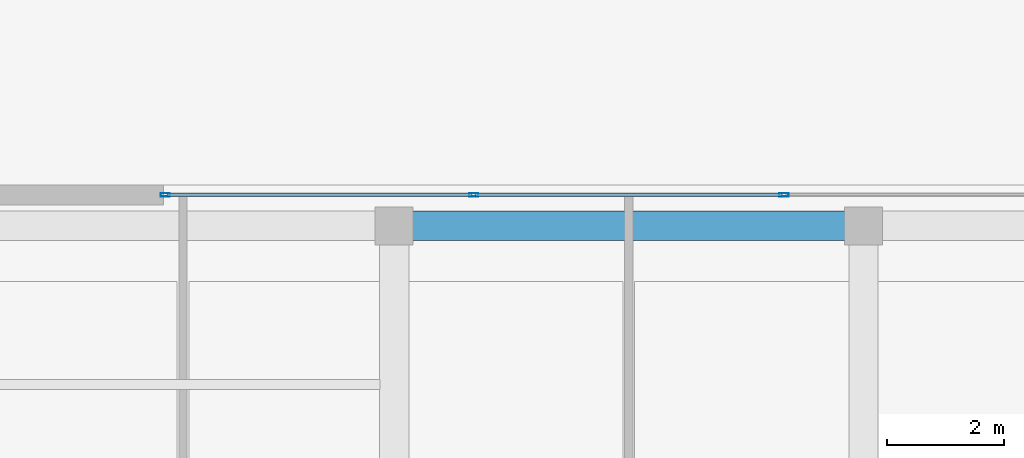
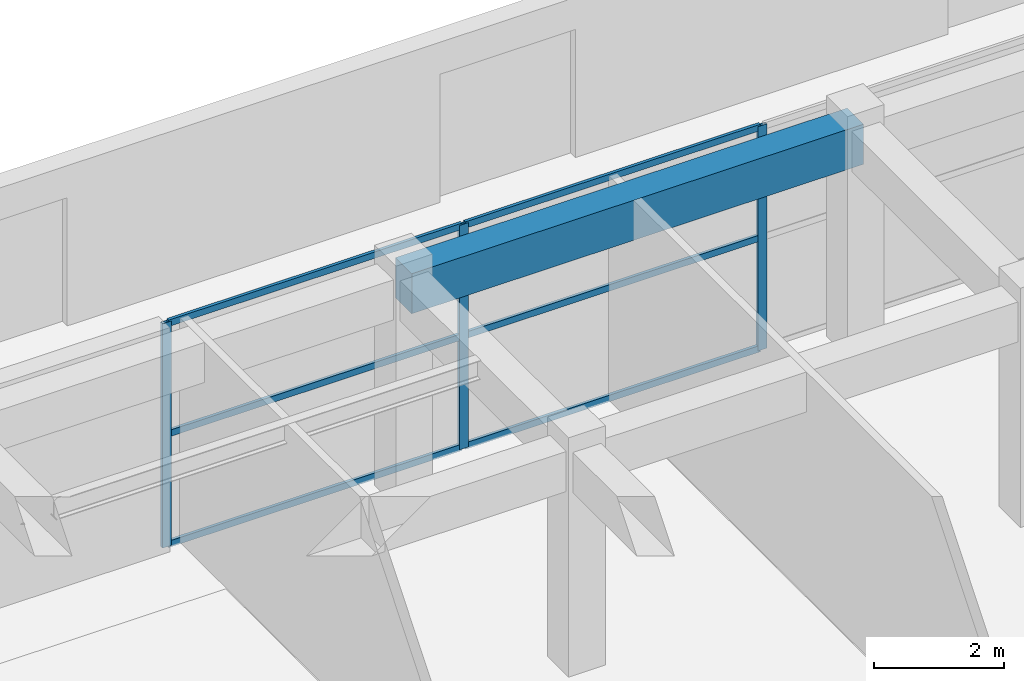
# One storey, part 16 of 39: 9 members, 1 beam, 1 element without a shape of its own.
"""IFC4 building model written with IfcOpenShell, lengths in metres."""

from ifc_helpers import new_model, si_unit, direction, frame, origin, origin_2d, place, context, subcontext, project, spatial, rectangle, hollow_rectangle, extrude, source, transform, mapped, material, layer, layer_set, material_profile, profile_set, type_object, element, aggregate, save


model = new_model("IFC4")

# Units and contexts
model_context = context("Model", 3, precision=1e-05, world=origin(), true_north=direction((0.0, 1.0)))
body_context = subcontext(model_context, "Body", "Model", "MODEL_VIEW")
ifc_project = project(units=[si_unit("LENGTHUNIT", "METRE"), si_unit("AREAUNIT", "SQUARE_METRE"), si_unit("VOLUMEUNIT", "CUBIC_METRE"), si_unit("PLANEANGLEUNIT", "RADIAN"), si_unit("MASSUNIT", "GRAM", prefix="KILO")], contexts=[model_context])

# Site, building, storey
site_placement = place(None, origin())
site = spatial("IfcSite", under=ifc_project, at=site_placement, CompositionType="ELEMENT")
building_placement = place(site_placement, origin())
building = spatial("IfcBuilding", under=site, at=building_placement, Name="Khoralis Quay Care Tower", CompositionType="ELEMENT")
storey_placement = place(building_placement, origin())
storey = spatial("IfcBuildingStorey", under=building, at=storey_placement, Name="L00", CompositionType="ELEMENT", Elevation=0.0)

# Beam
ifc_material_1 = material(Name="Concrete C40/50", Category="concrete")
ifc_material_profile_1 = material_profile(ifc_material_1, rectangle(XDim=0.5, YDim=0.75, at=origin_2d()), Name="Concrete C40/50")
ifc_profile_set_1 = profile_set([ifc_material_profile_1], Name="Concrete C40/50")
beam_type = type_object("IfcBeamType", Name="BM-RC500X750", PredefinedType="BEAM", material=ifc_profile_set_1)
shared_shape_1 = source(origin(), body_context, "Body", "SweptSolid", [
    extrude(rectangle(XDim=0.5, YDim=0.75, at=origin_2d()), origin(), (0.0, 0.0, 1.0), 8.0),
])
beam_placement = place(storey_placement, frame((84.0, 41.300048828125, 3.824951171875), z_axis=(1.0, 0.0, 0.0), x_axis=(0.0, 1.0, 0.0)))
element("IfcBeam", 1, at=beam_placement, inside=storey, type_object=beam_type, Name="BM-SCX-L00-30", PredefinedType="BEAM", context=body_context, shape_type="MappedRepresentation", body=[
    mapped(shared_shape_1, transform((0.0, 0.0, 0.0), scale=1.0)),
])

# Curtain wall, members
ifc_material_2 = material(Name="Pale anodised aluminium", Category="aluminium")
ifc_layer = layer(ifc_material_2, 0.14990234375)
ifc_layer_set = layer_set([ifc_layer], Name="Pale anodised aluminium")
curtain_wall_type = type_object("IfcCurtainWallType", Name="CW-SYS-SCHOOL", PredefinedType="NOTDEFINED", material=ifc_layer_set)
curtain_wall_placement = place(storey_placement, origin())
curtain_wall = element("IfcCurtainWall", 2, at=curtain_wall_placement, inside=storey, type_object=curtain_wall_type, Name="L00 Unitised Curtain Wall CW-SCH-L00-E3", PredefinedType="NOTDEFINED")
ifc_material_profile_2 = material_profile(ifc_material_2, hollow_rectangle(XDim=0.06005859375, YDim=0.159912109375, WallThickness=0.00390625, at=origin_2d()), Name="Pale anodised aluminium")
ifc_profile_set_2 = profile_set([ifc_material_profile_2], Name="Pale anodised aluminium")
member_type_1 = type_object("IfcMemberType", Name="CW-MUL-160", PredefinedType="MULLION", material=ifc_profile_set_2)
shared_shape_2 = source(origin(), body_context, "Body", "SweptSolid", [
    extrude(hollow_rectangle(XDim=0.06005859375, YDim=0.159912109375, WallThickness=0.00390625, at=origin_2d()), origin(), (0.0, 0.0, 1.0), 4.199951171875),
])
member_1_placement = place(storey_placement, frame((90.64404296875, 41.830078125, 0.0), z_axis=(0.0, 0.0, 1.0), x_axis=(0.0, -1.0, 0.0)))
member_1 = element("IfcMember", 3, at=member_1_placement, type_object=member_type_1, Name="CW6 mullion 2", PredefinedType="MULLION", context=body_context, shape_type="MappedRepresentation", body=[
    mapped(shared_shape_2, transform((0.0, 0.0, 0.0), scale=1.0)),
])
member_2_placement = place(storey_placement, frame((85.35595703125, 41.830078125, 0.0), z_axis=(0.0, 0.0, 1.0), x_axis=(0.0, -1.0, 0.0)))
member_2 = element("IfcMember", 4, at=member_2_placement, type_object=member_type_1, Name="CW6 mullion 3", PredefinedType="MULLION", context=body_context, shape_type="MappedRepresentation", body=[
    mapped(shared_shape_2, transform((0.0, 0.0, 0.0), scale=1.0)),
])
member_3_placement = place(storey_placement, frame((80.097900390625, 41.830078125, 0.0), z_axis=(0.0, 0.0, 1.0), x_axis=(0.0, -1.0, 0.0)))
member_3 = element("IfcMember", 5, at=member_3_placement, type_object=member_type_1, Name="CW6 mullion 4", PredefinedType="MULLION", context=body_context, shape_type="MappedRepresentation", body=[
    mapped(shared_shape_2, transform((0.0, 0.0, 0.0), scale=1.0)),
])
ifc_material_profile_3 = material_profile(ifc_material_2, hollow_rectangle(XDim=0.054931640625, YDim=0.1201171875, WallThickness=0.00390625, at=origin_2d()), Name="Pale anodised aluminium")
ifc_profile_set_3 = profile_set([ifc_material_profile_3], Name="Pale anodised aluminium")
member_type_2 = type_object("IfcMemberType", Name="CW-TRN-120", PredefinedType="USERDEFINED", material=ifc_profile_set_3)
shared_shape_3 = source(origin(), body_context, "Body", "SweptSolid", [
    extrude(hollow_rectangle(XDim=0.054931640625, YDim=0.1201171875, WallThickness=0.00390625, at=origin_2d()), origin(), (0.0, 0.0, 1.0), 5.197998046875),
])
member_4_placement = place(storey_placement, frame((85.325927734375, 41.830078125, 0.030029296875), z_axis=(-1.0, 0.0, 0.0), x_axis=(0.0, -1.0, 0.0)))
member_4 = element("IfcMember", 6, at=member_4_placement, type_object=member_type_2, Name="CW6 transom 3.1", ObjectType="TRANSOM", PredefinedType="USERDEFINED", context=body_context, shape_type="MappedRepresentation", body=[
    mapped(shared_shape_3, transform((0.0, 0.0, 0.0), scale=1.0)),
])
member_5_placement = place(storey_placement, frame((85.325927734375, 41.830078125, 2.10009765625), z_axis=(-1.0, 0.0, 0.0), x_axis=(0.0, -1.0, 0.0)))
member_5 = element("IfcMember", 7, at=member_5_placement, type_object=member_type_2, Name="CW6 transom 3.2", ObjectType="TRANSOM", PredefinedType="USERDEFINED", context=body_context, shape_type="MappedRepresentation", body=[
    mapped(shared_shape_3, transform((0.0, 0.0, 0.0), scale=1.0)),
])
member_6_placement = place(storey_placement, frame((85.325927734375, 41.830078125, 4.169921875), z_axis=(-1.0, 0.0, 0.0), x_axis=(0.0, -1.0, 0.0)))
member_6 = element("IfcMember", 8, at=member_6_placement, type_object=member_type_2, Name="CW6 transom 3.3", ObjectType="TRANSOM", PredefinedType="USERDEFINED", context=body_context, shape_type="MappedRepresentation", body=[
    mapped(shared_shape_3, transform((0.0, 0.0, 0.0), scale=1.0)),
])
shared_shape_4 = source(origin(), body_context, "Body", "SweptSolid", [
    extrude(hollow_rectangle(XDim=0.054931640625, YDim=0.1201171875, WallThickness=0.00390625, at=origin_2d()), origin(), (0.0, 0.0, 1.0), 5.22802734375),
])
member_7_placement = place(storey_placement, frame((90.614013671875, 41.830078125, 0.030029296875), z_axis=(-1.0, 0.0, 0.0), x_axis=(0.0, -1.0, 0.0)))
member_7 = element("IfcMember", 9, at=member_7_placement, type_object=member_type_2, Name="CW6 transom 2.1", ObjectType="TRANSOM", PredefinedType="USERDEFINED", context=body_context, shape_type="MappedRepresentation", body=[
    mapped(shared_shape_4, transform((0.0, 0.0, 0.0), scale=1.0)),
])
member_8_placement = place(storey_placement, frame((90.614013671875, 41.830078125, 2.10009765625), z_axis=(-1.0, 0.0, 0.0), x_axis=(0.0, -1.0, 0.0)))
member_8 = element("IfcMember", 10, at=member_8_placement, type_object=member_type_2, Name="CW6 transom 2.2", ObjectType="TRANSOM", PredefinedType="USERDEFINED", context=body_context, shape_type="MappedRepresentation", body=[
    mapped(shared_shape_4, transform((0.0, 0.0, 0.0), scale=1.0)),
])
member_9_placement = place(storey_placement, frame((90.614013671875, 41.830078125, 4.169921875), z_axis=(-1.0, 0.0, 0.0), x_axis=(0.0, -1.0, 0.0)))
member_9 = element("IfcMember", 11, at=member_9_placement, type_object=member_type_2, Name="CW6 transom 2.3", ObjectType="TRANSOM", PredefinedType="USERDEFINED", context=body_context, shape_type="MappedRepresentation", body=[
    mapped(shared_shape_4, transform((0.0, 0.0, 0.0), scale=1.0)),
])
aggregate(curtain_wall, [member_1, member_2, member_3, member_7, member_8, member_9, member_4, member_5, member_6])

save(model, "model.ifc")
